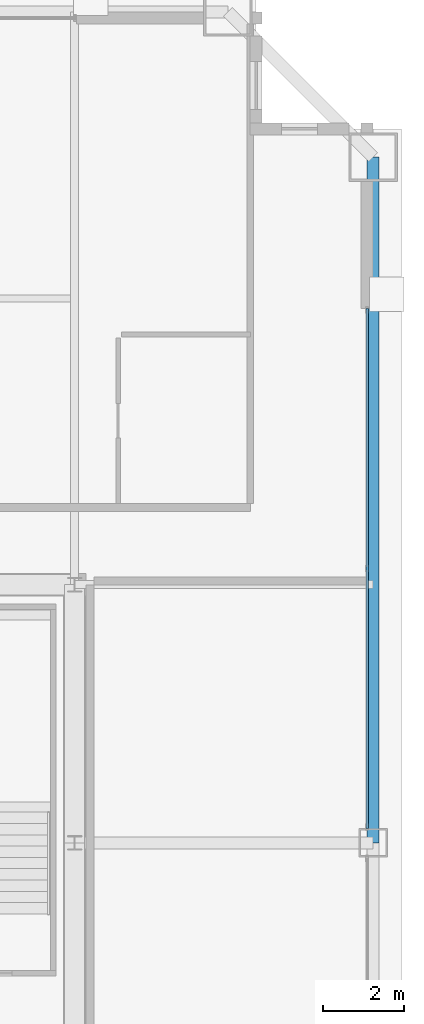
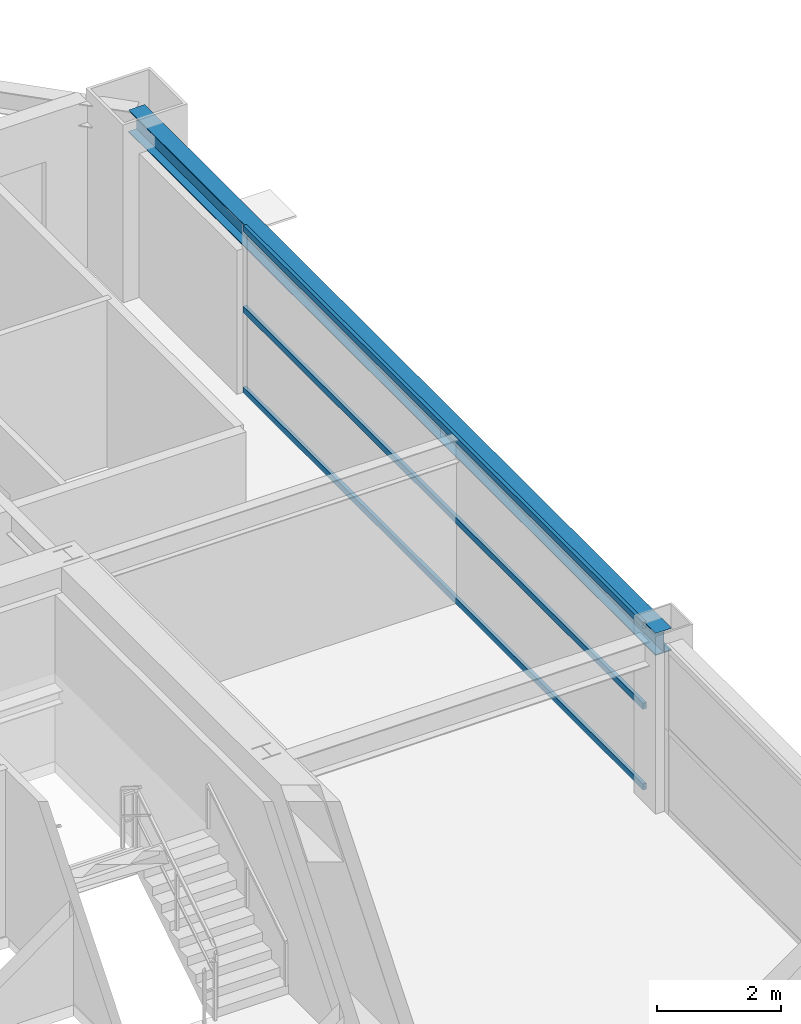
# One storey, part 22 of 37: 3 members, 1 beam, 1 element without a shape of its own.
"""IFC4 building model written with IfcOpenShell, lengths in metres."""

from ifc_helpers import new_model, si_unit, direction, frame, origin, origin_2d, place, context, subcontext, project, spatial, hollow_rectangle, i_section, extrude, source, transform, mapped, material, layer, layer_set, material_profile, profile_set, type_object, element, aggregate, save


model = new_model("IFC4")

# Units and contexts
model_context = context("Model", 3, precision=1e-05, world=origin(), true_north=direction((0.0, 1.0)))
body_context = subcontext(model_context, "Body", "Model", "MODEL_VIEW")
ifc_project = project(units=[si_unit("LENGTHUNIT", "METRE"), si_unit("AREAUNIT", "SQUARE_METRE"), si_unit("VOLUMEUNIT", "CUBIC_METRE"), si_unit("PLANEANGLEUNIT", "RADIAN"), si_unit("MASSUNIT", "GRAM", prefix="KILO"), si_unit("THERMODYNAMICTEMPERATUREUNIT", "KELVIN"), si_unit("POWERUNIT", "WATT")], contexts=[model_context])

# Site, building, storey
site_placement = place(None, origin())
site = spatial("IfcSite", under=ifc_project, at=site_placement, CompositionType="ELEMENT")
building_placement = place(site_placement, origin())
building = spatial("IfcBuilding", under=site, at=building_placement, Name="Yuzanri Waterfront Tower", CompositionType="ELEMENT")
storey_placement = place(building_placement, frame((0.0, 0.0, 268.10009765625)))
storey = spatial("IfcBuildingStorey", under=building, at=storey_placement, Name="L71", CompositionType="ELEMENT", Elevation=268.10009765625)

# Beam
ifc_material_1 = material(Name="Steel Q355B", Category="steel")
ifc_material_profile_1 = material_profile(ifc_material_1, i_section(OverallWidth=0.300048828125, OverallDepth=0.43994140625, WebThickness=0.010986328125, FlangeThickness=0.01806640625, at=origin_2d()), Name="HM 440x300x11x18")
ifc_profile_set_1 = profile_set([ifc_material_profile_1], Name="Steel Q355B")
beam_type = type_object("IfcBeamType", Name="Perimeter Spandrel Q355B HM 440x300", PredefinedType="SPANDREL", material=ifc_profile_set_1)
shared_shape_1 = source(origin(), body_context, "Body", "SweptSolid", [
    extrude(i_section(OverallWidth=0.300048828125, OverallDepth=0.43994140625, WebThickness=0.010986328125, FlangeThickness=0.01806640625, at=origin_2d()), origin(), (0.0, 0.0, 1.0), 17.0),
])
beam_placement = place(storey_placement, frame((57.60009765625, 25.800048828125, 3.059814453125), z_axis=(0.0, 1.0, 0.0), x_axis=(-1.0, 0.0, 0.0)))
element("IfcBeam", 1, at=beam_placement, inside=storey, type_object=beam_type, Name="L71 Perimeter Spandrel E2-E3", PredefinedType="SPANDREL", context=body_context, shape_type="MappedRepresentation", body=[
    mapped(shared_shape_1, transform((0.0, 0.0, 0.0), scale=1.0)),
])

# Curtain wall, members
ifc_material_2 = material(Name="Anodized Architectural Bronze", Category="metal")
ifc_layer = layer(ifc_material_2, 0.159912109375)
ifc_layer_set = layer_set([ifc_layer], Name="Anodized Architectural Bronze")
curtain_wall_type = type_object("IfcCurtainWallType", Name="Anodized Bronze Mid-Rise Residential Acoustic Unitized Curtain Wall 7200", PredefinedType="NOTDEFINED", material=ifc_layer_set)
curtain_wall_placement = place(storey_placement, origin())
curtain_wall = element("IfcCurtainWall", 2, at=curtain_wall_placement, inside=storey, type_object=curtain_wall_type, Name="L71 Curtain Wall CW-L71-ER", PredefinedType="NOTDEFINED")
ifc_material_3 = material(Name="Anodized Architectural Bronze", Category="metal")
ifc_material_profile_2 = material_profile(ifc_material_3, hollow_rectangle(XDim=0.06494140625, YDim=0.1201171875, WallThickness=0.00341796875, at=origin_2d()), Name="CWT 65x120")
ifc_profile_set_2 = profile_set([ifc_material_profile_2], Name="Anodized Architectural Bronze")
member_type = type_object("IfcMemberType", Name="Anodized Bronze Secondary Curtain-Wall Transom 65x120", PredefinedType="USERDEFINED", material=ifc_profile_set_2)
shared_shape_2 = source(origin(), body_context, "Body", "SweptSolid", [
    extrude(hollow_rectangle(XDim=0.06494140625, YDim=0.1201171875, WallThickness=0.00341796875, at=origin_2d()), origin(), (0.0, 0.0, 1.0), 12.900146484375),
])
member_1_placement = place(storey_placement, frame((57.449951171875, 26.14990234375, 0.0498046875), z_axis=(0.0, 1.0, 0.0), x_axis=(-1.0, 0.0, 0.0)))
member_1 = element("IfcMember", 3, at=member_1_placement, type_object=member_type, Name="CW-L71-ER Transom 1", ObjectType="TRANSOM", PredefinedType="USERDEFINED", context=body_context, shape_type="MappedRepresentation", body=[
    mapped(shared_shape_2, transform((0.0, 0.0, 0.0), scale=1.0)),
])
member_2_placement = place(storey_placement, frame((57.449951171875, 26.14990234375, 1.639892578125), z_axis=(0.0, 1.0, 0.0), x_axis=(-1.0, 0.0, 0.0)))
member_2 = element("IfcMember", 4, at=member_2_placement, type_object=member_type, Name="CW-L71-ER Transom 2", ObjectType="TRANSOM", PredefinedType="USERDEFINED", context=body_context, shape_type="MappedRepresentation", body=[
    mapped(shared_shape_2, transform((0.0, 0.0, 0.0), scale=1.0)),
])
member_3_placement = place(storey_placement, frame((57.449951171875, 26.14990234375, 3.22998046875), z_axis=(0.0, 1.0, 0.0), x_axis=(-1.0, 0.0, 0.0)))
member_3 = element("IfcMember", 5, at=member_3_placement, type_object=member_type, Name="CW-L71-ER Transom 3", ObjectType="TRANSOM", PredefinedType="USERDEFINED", context=body_context, shape_type="MappedRepresentation", body=[
    mapped(shared_shape_2, transform((0.0, 0.0, 0.0), scale=1.0)),
])
aggregate(curtain_wall, [member_1, member_2, member_3])

save(model, "model.ifc")
